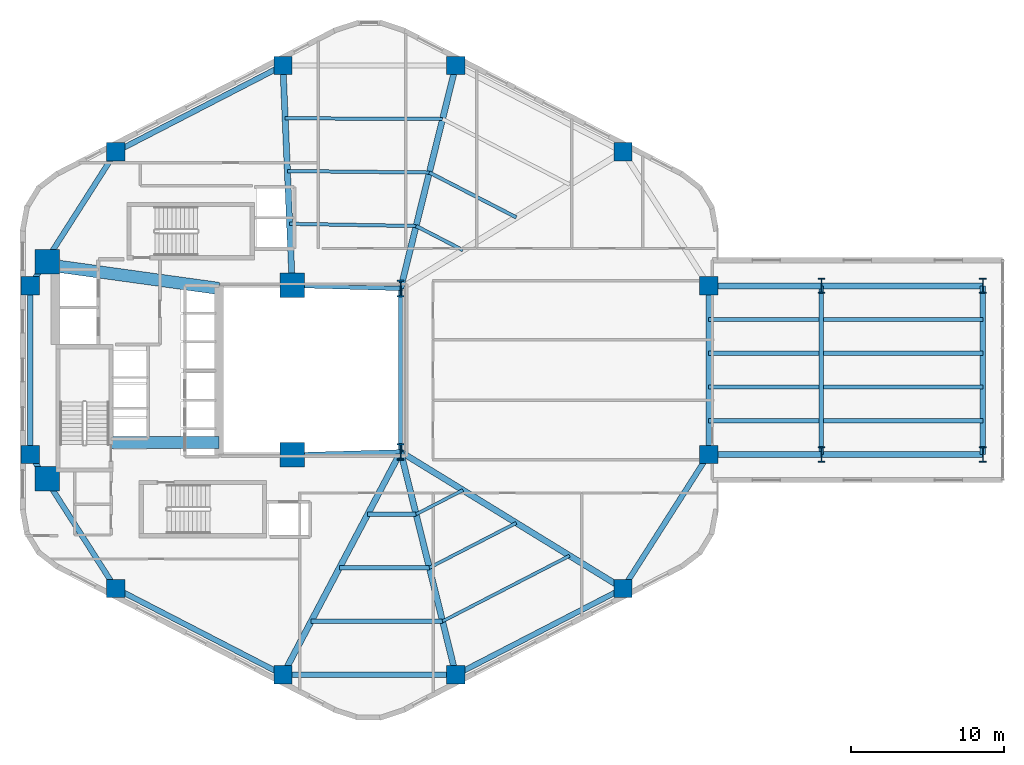
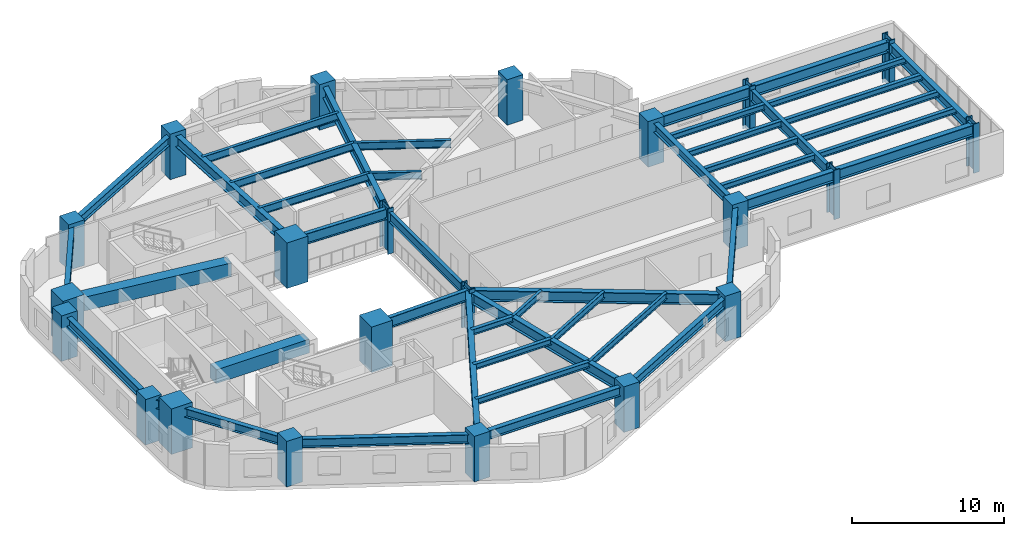
# One storey, part 1 of 10: 44 beams, 22 columns.
"""IFC4 building model written with IfcOpenShell, lengths in metres."""

from ifc_helpers import new_model, si_unit, direction, frame, origin, origin_2d, place, context, subcontext, project, spatial, rectangle, i_section, extrude, material, material_profile, profile_set, type_object, element, save


model = new_model("IFC4")

# Units and contexts
model_context = context("Model", 3, precision=1e-05, world=origin(), true_north=direction((0.0, 1.0)))
body_context = subcontext(model_context, "Body", "Model", "MODEL_VIEW")
ifc_project = project(units=[si_unit("LENGTHUNIT", "METRE"), si_unit("AREAUNIT", "SQUARE_METRE"), si_unit("VOLUMEUNIT", "CUBIC_METRE"), si_unit("PLANEANGLEUNIT", "RADIAN"), si_unit("MASSUNIT", "GRAM", prefix="KILO"), si_unit("THERMODYNAMICTEMPERATUREUNIT", "KELVIN"), si_unit("POWERUNIT", "WATT")], contexts=[model_context])

# Site, building, storey
site_placement = place(None, origin())
site = spatial("IfcSite", under=ifc_project, at=site_placement, CompositionType="ELEMENT")
building_placement = place(site_placement, origin())
building = spatial("IfcBuilding", under=site, at=building_placement, Name="Skarre Station Tower", CompositionType="ELEMENT")
storey_placement = place(building_placement, frame((0.0, 0.0, 52.550048828125)))
storey = spatial("IfcBuildingStorey", under=building, at=storey_placement, Name="L13", CompositionType="ELEMENT", Elevation=52.550048828125)

# Columns
ifc_material_1 = material(Name="Concrete C60/75", Category="concrete")
ifc_material_profile_1 = material_profile(ifc_material_1, rectangle(XDim=1.199951171875, YDim=1.199951171875, at=origin_2d()), Name="Concrete C60/75")
ifc_profile_set_1 = profile_set([ifc_material_profile_1], Name="Concrete C60/75")
column_type_1 = type_object("IfcColumnType", Name="RC Structural Column RC-COL-1200X1200", PredefinedType="COLUMN", material=ifc_profile_set_1)
for number, where, z_axis, x_axis, name in (
    (1, (54.007080078125, 38.298095703125, 0.0), (0.0, 0.0, 1.0), (1.0, 0.0, 0.0), "L13 Zone 1 Perimeter Column F0C1"),
    (2, (43.06005859375, 43.947021484375, 0.0), (0.0, 0.0, 1.0), (1.0, 0.0, 0.0), "L13 Zone 1 Perimeter Column F0C2"),
    (3, (31.739990234375, 43.947021484375, 0.0), (0.0, 0.0, 1.0), (1.0, 0.0, 0.0), "L13 Zone 1 Perimeter Column F1C1"),
    (4, (20.79296875, 38.298095703125, 0.0), (0.0, 0.0, 1.0), (1.0, 0.0, 0.0), "L13 Zone 1 Perimeter Column F1C2"),
    (5, (15.18701171875, 29.52099609375, 0.0), (0.0, 0.0, 1.0), (1.0, 0.0, 0.0), "L13 Zone 1 Perimeter Column F2C1"),
    (6, (15.18701171875, 18.47900390625, 0.0), (0.0, 0.0, 1.0), (1.0, 0.0, 0.0), "L13 Zone 1 Perimeter Column F2C2"),
    (7, (20.79296875, 9.701904296875, 0.0), (0.0, 0.0, 1.0), (1.0, 0.0, 0.0), "L13 Zone 1 Perimeter Column F3C1"),
    (8, (31.739990234375, 4.052978515625, 0.0), (0.0, 0.0, 1.0), (1.0, 0.0, 0.0), "L13 Zone 1 Perimeter Column F3C2"),
    (9, (43.06005859375, 4.052978515625, 0.0), (0.0, 0.0, 1.0), (1.0, 0.0, 0.0), "L13 Zone 1 Perimeter Column F4C1"),
    (10, (54.007080078125, 9.701904296875, 0.0), (0.0, 0.0, 1.0), (1.0, 0.0, 0.0), "L13 Zone 1 Perimeter Column F4C2"),
    (11, (59.613037109375, 18.47900390625, 0.0), (0.0, 0.0, 1.0), (1.0, 0.0, 0.0), "L13 Zone 1 Perimeter Column F5C1"),
    (12, (59.613037109375, 29.52099609375, 0.0), (0.0, 0.0, 1.0), (1.0, 0.0, 0.0), "L13 Zone 1 Perimeter Column F5C2"),
):
    element("IfcColumn", number, at=place(storey_placement, frame(where, z_axis=z_axis, x_axis=x_axis)), inside=storey, type_object=column_type_1, Name=name, PredefinedType="COLUMN", context=body_context, shape_type="SweptSolid", body=[
        extrude(rectangle(XDim=1.199951171875, YDim=1.199951171875, at=origin_2d()), origin(), (0.0, 0.0, 1.0), 3.64990234375),
    ])
ifc_material_2 = material(Name="Concrete C70/85", Category="concrete")
ifc_material_profile_2 = material_profile(ifc_material_2, rectangle(XDim=1.60009765625, YDim=1.60009765625, at=origin_2d()), Name="Concrete C70/85")
ifc_profile_set_2 = profile_set([ifc_material_profile_2], Name="Concrete C70/85")
column_type_2 = type_object("IfcColumnType", Name="RC Structural Column RC-COL-1600X1600", PredefinedType="COLUMN", material=ifc_profile_set_2)
for number, where, z_axis, x_axis, name in (
    (13, (16.300048828125, 16.89990234375, 0.0), (0.0, 0.0, 1.0), (1.0, 0.0, 0.0), "L13 Core Column CC-SW"),
    (14, (16.300048828125, 31.10009765625, 0.0), (0.0, 0.0, 1.0), (1.0, 0.0, 0.0), "L13 Core Column CC-NW"),
    (15, (32.35009765625, 18.449951171875, 0.0), (0.0, 0.0, 1.0), (1.0, 0.0, 0.0), "L13 Core Column CC-SE"),
    (16, (32.35009765625, 29.550048828125, 0.0), (0.0, 0.0, 1.0), (1.0, 0.0, 0.0), "L13 Core Column CC-NE"),
):
    element("IfcColumn", number, at=place(storey_placement, frame(where, z_axis=z_axis, x_axis=x_axis)), inside=storey, type_object=column_type_2, Name=name, PredefinedType="COLUMN", context=body_context, shape_type="SweptSolid", body=[
        extrude(rectangle(XDim=1.60009765625, YDim=1.60009765625, at=origin_2d()), origin(), (0.0, 0.0, 1.0), 3.64990234375),
    ])
ifc_material_3 = material(Name="Steel ASTM A913 Grade 65", Category="steel")
ifc_material_profile_3 = material_profile(ifc_material_3, i_section(OverallWidth=0.430908203125, OverallDepth=0.987060546875, WebThickness=0.033935546875, FlangeThickness=0.06201171875, at=origin_2d()), Name="Steel ASTM A913 Grade 65")
ifc_profile_set_3 = profile_set([ifc_material_profile_3], Name="Steel ASTM A913 Grade 65")
column_type_3 = type_object("IfcColumnType", Name="Steel Column W36X441", PredefinedType="COLUMN", material=ifc_profile_set_3)
for number, where, z_axis, x_axis, name in (
    (17, (66.992919921875, 18.47900390625, -0.2900390625), (0.0, 0.0, 1.0), (1.0, 0.0, 0.0), "L13 SB-1 Sky-Bar Frame Column M1"),
    (18, (66.992919921875, 29.52099609375, -0.2900390625), (0.0, 0.0, 1.0), (1.0, 0.0, 0.0), "L13 SB-1 Sky-Bar Frame Column M2"),
    (19, (77.56298828125, 18.47900390625, -0.2900390625), (0.0, 0.0, 1.0), (1.0, 0.0, 0.0), "L13 SB-1 Sky-Bar Frame Column T1"),
    (20, (77.56298828125, 29.52099609375, -0.2900390625), (0.0, 0.0, 1.0), (1.0, 0.0, 0.0), "L13 SB-1 Sky-Bar Frame Column T2"),
):
    element("IfcColumn", number, at=place(storey_placement, frame(where, z_axis=z_axis, x_axis=x_axis)), inside=storey, type_object=column_type_3, Name=name, PredefinedType="COLUMN", context=body_context, shape_type="SweptSolid", body=[
        extrude(i_section(OverallWidth=0.430908203125, OverallDepth=0.987060546875, WebThickness=0.033935546875, FlangeThickness=0.06201171875, at=origin_2d()), origin(), (0.0, 0.0, 1.0), 3.93994140625),
    ])
ifc_material_profile_4 = material_profile(ifc_material_3, i_section(OverallWidth=0.424072265625, OverallDepth=1.092041015625, WebThickness=0.044921875, FlangeThickness=0.08203125, at=origin_2d()), Name="Steel ASTM A913 Grade 65")
ifc_profile_set_4 = profile_set([ifc_material_profile_4], Name="Steel ASTM A913 Grade 65")
column_type_4 = type_object("IfcColumnType", Name="Steel Column W40X593", PredefinedType="COLUMN", material=ifc_profile_set_4)
for number, where, z_axis, x_axis, name in (
    (21, (39.449951171875, 18.64990234375, 0.0), (0.0, 0.0, 1.0), (1.0, 0.0, 0.0), "L13 Atrium Spine Column AC-SE"),
    (22, (39.449951171875, 29.35009765625, 0.0), (0.0, 0.0, 1.0), (1.0, 0.0, 0.0), "L13 Atrium Spine Column AC-NE"),
):
    element("IfcColumn", number, at=place(storey_placement, frame(where, z_axis=z_axis, x_axis=x_axis)), inside=storey, type_object=column_type_4, Name=name, PredefinedType="COLUMN", context=body_context, shape_type="SweptSolid", body=[
        extrude(i_section(OverallWidth=0.424072265625, OverallDepth=1.092041015625, WebThickness=0.044921875, FlangeThickness=0.08203125, at=origin_2d()), origin(), (0.0, 0.0, 1.0), 3.64990234375),
    ])

# Beams
ifc_material_profile_5 = material_profile(ifc_material_2, rectangle(XDim=0.800048828125, YDim=1.10009765625, at=origin_2d()), Name="Concrete C70/85")
ifc_profile_set_5 = profile_set([ifc_material_profile_5], Name="Concrete C70/85")
beam_type_1 = type_object("IfcBeamType", Name="RC Core Coupling Lintel 800x1100", PredefinedType="LINTEL", material=ifc_profile_set_5)
beam_1_placement = place(storey_placement, frame((20.489990234375, 19.260009765625, 2.81005859375), z_axis=(1.0, 0.0, 0.0), x_axis=(0.0, 1.0, 0.0)))
element("IfcBeam", 23, at=beam_1_placement, inside=storey, type_object=beam_type_1, Name="L13 South Core Coupling Lintel", PredefinedType="LINTEL", context=body_context, shape_type="SweptSolid", body=[
    extrude(rectangle(XDim=0.800048828125, YDim=1.10009765625, at=origin_2d()), origin(), (0.0, 0.0, 1.0), 7.06005859375),
])
beam_2_placement = place(storey_placement, frame((17.050048828125, 30.800048828125, 2.81005859375), z_axis=(0.990599723633, -0.136792498109, 0.0), x_axis=(0.136792498109, 0.990599723633, 0.0)))
element("IfcBeam", 24, at=beam_2_placement, inside=storey, type_object=beam_type_1, Name="L13 North Core Coupling Lintel", PredefinedType="LINTEL", context=body_context, shape_type="SweptSolid", body=[
    extrude(rectangle(XDim=0.800048828125, YDim=1.10009765625, at=origin_2d()), origin(), (0.0, 0.0, 1.0), 10.599609375),
])
ifc_material_4 = material(Name="Steel ASTM A992 Grade 50", Category="steel")
ifc_material_profile_6 = material_profile(ifc_material_4, i_section(OverallWidth=0.26806640625, OverallDepth=0.77001953125, WebThickness=0.01611328125, FlangeThickness=0.02490234375, at=origin_2d()), Name="Steel ASTM A992 Grade 50")
ifc_profile_set_6 = profile_set([ifc_material_profile_6], Name="Steel ASTM A992 Grade 50")
beam_type_2 = type_object("IfcBeamType", Name="Steel Beam W30X132", PredefinedType="BEAM", material=ifc_profile_set_6)
beam_3_placement = place(storey_placement, frame((39.449951171875, 18.64990234375, 2.974853515625), z_axis=(0.0, 1.0, 0.0), x_axis=(-1.0, 0.0, 0.0)))
element("IfcBeam", 25, at=beam_3_placement, inside=storey, type_object=beam_type_2, Name="L13 Atrium East Edge Girder", PredefinedType="BEAM", context=body_context, shape_type="SweptSolid", body=[
    extrude(i_section(OverallWidth=0.26806640625, OverallDepth=0.77001953125, WebThickness=0.01611328125, FlangeThickness=0.02490234375, at=origin_2d()), origin(), (0.0, 0.0, 1.0), 10.7001953125),
])
ifc_material_profile_7 = material_profile(ifc_material_4, i_section(OverallWidth=0.2919921875, OverallDepth=0.85888671875, WebThickness=0.01708984375, FlangeThickness=0.031005859375, at=origin_2d()), Name="Steel ASTM A992 Grade 50")
ifc_profile_set_7 = profile_set([ifc_material_profile_7], Name="Steel ASTM A992 Grade 50")
beam_type_3 = type_object("IfcBeamType", Name="Steel Beam W33X169", PredefinedType="BEAM", material=ifc_profile_set_7)
for number, where, z_axis, x_axis, name in (
    (26, (32.35009765625, 18.449951171875, 2.929931640625), (0.999603666405, 0.028151556095, 0.0), (-0.028151556095, 0.999603666405, 0.0), "L13 Atrium South Edge Girder"),
    (27, (32.35009765625, 29.550048828125, 2.929931640625), (0.999603666405, -0.028151556095, 0.0), (0.028151556095, 0.999603666405, 0.0), "L13 Atrium North Edge Girder"),
):
    element("IfcBeam", number, at=place(storey_placement, frame(where, z_axis=z_axis, x_axis=x_axis)), inside=storey, type_object=beam_type_3, Name=name, PredefinedType="BEAM", context=body_context, shape_type="SweptSolid", body=[
        extrude(i_section(OverallWidth=0.2919921875, OverallDepth=0.85888671875, WebThickness=0.01708984375, FlangeThickness=0.031005859375, at=origin_2d()), origin(), (0.0, 0.0, 1.0), 7.102783203125),
    ])
beam_4_placement = place(storey_placement, frame((66.992919921875, 18.47900390625, 2.929931640625), z_axis=(0.0, 1.0, 0.0), x_axis=(-1.0, 0.0, 0.0)))
element("IfcBeam", 28, at=beam_4_placement, inside=storey, type_object=beam_type_3, Name="L13 SB-1 Mid Transverse Girder", PredefinedType="BEAM", context=body_context, shape_type="SweptSolid", body=[
    extrude(i_section(OverallWidth=0.2919921875, OverallDepth=0.85888671875, WebThickness=0.01708984375, FlangeThickness=0.031005859375, at=origin_2d()), origin(), (0.0, 0.0, 1.0), 11.0419921875),
])
ifc_material_profile_8 = material_profile(ifc_material_4, i_section(OverallWidth=0.40087890625, OverallDepth=0.876953125, WebThickness=0.02197265625, FlangeThickness=0.0400390625, at=origin_2d()), Name="Steel ASTM A992 Grade 50")
ifc_profile_set_8 = profile_set([ifc_material_profile_8], Name="Steel ASTM A992 Grade 50")
beam_type_4 = type_object("IfcBeamType", Name="Steel Beam W33X263", PredefinedType="BEAM", material=ifc_profile_set_8)
beam_5_placement = place(storey_placement, frame((39.449951171875, 29.35009765625, 2.9208984375), z_axis=(0.240086037639, 0.9707516132, 0.0), x_axis=(-0.9707516132, 0.240086037639, 0.0)))
element("IfcBeam", 29, at=beam_5_placement, inside=storey, type_object=beam_type_4, Name="L13 Radial Floor Girder F0C2", PredefinedType="BEAM", context=body_context, shape_type="SweptSolid", body=[
    extrude(i_section(OverallWidth=0.40087890625, OverallDepth=0.876953125, WebThickness=0.02197265625, FlangeThickness=0.0400390625, at=origin_2d()), origin(), (0.0, 0.0, 1.0), 15.03662109375),
])
beam_6_placement = place(storey_placement, frame((32.35009765625, 29.550048828125, 2.9208984375), z_axis=(-0.042339479433, 0.999103282189, 0.0), x_axis=(-0.999103282189, -0.042339479433, 0.0)))
element("IfcBeam", 30, at=beam_6_placement, inside=storey, type_object=beam_type_4, Name="L13 Radial Floor Girder F1C1", PredefinedType="BEAM", context=body_context, shape_type="SweptSolid", body=[
    extrude(i_section(OverallWidth=0.40087890625, OverallDepth=0.876953125, WebThickness=0.02197265625, FlangeThickness=0.0400390625, at=origin_2d()), origin(), (0.0, 0.0, 1.0), 14.409912109375),
])
beam_7_placement = place(storey_placement, frame((39.449951171875, 18.64990234375, 2.9208984375), z_axis=(-0.467044240884, -0.884233949279, 0.0), x_axis=(0.884233949279, -0.467044240884, 0.0)))
element("IfcBeam", 31, at=beam_7_placement, inside=storey, type_object=beam_type_4, Name="L13 Radial Floor Girder F3C2", PredefinedType="BEAM", context=body_context, shape_type="SweptSolid", body=[
    extrude(i_section(OverallWidth=0.40087890625, OverallDepth=0.876953125, WebThickness=0.02197265625, FlangeThickness=0.0400390625, at=origin_2d()), origin(), (0.0, 0.0, 1.0), 16.508056640625),
])
beam_8_placement = place(storey_placement, frame((39.449951171875, 18.64990234375, 2.9208984375), z_axis=(0.240086037639, -0.9707516132, 0.0), x_axis=(0.9707516132, 0.240086037639, 0.0)))
element("IfcBeam", 32, at=beam_8_placement, inside=storey, type_object=beam_type_4, Name="L13 Radial Floor Girder F4C1", PredefinedType="BEAM", context=body_context, shape_type="SweptSolid", body=[
    extrude(i_section(OverallWidth=0.40087890625, OverallDepth=0.876953125, WebThickness=0.02197265625, FlangeThickness=0.0400390625, at=origin_2d()), origin(), (0.0, 0.0, 1.0), 15.03662109375),
])
beam_9_placement = place(storey_placement, frame((39.449951171875, 18.64990234375, 2.9208984375), z_axis=(0.851925565957, -0.523662897358, 0.0), x_axis=(0.523662897358, 0.851925565957, 0.0)))
element("IfcBeam", 33, at=beam_9_placement, inside=storey, type_object=beam_type_4, Name="L13 Radial Floor Girder F4C2", PredefinedType="BEAM", context=body_context, shape_type="SweptSolid", body=[
    extrude(i_section(OverallWidth=0.40087890625, OverallDepth=0.876953125, WebThickness=0.02197265625, FlangeThickness=0.0400390625, at=origin_2d()), origin(), (0.0, 0.0, 1.0), 17.08740234375),
])
beam_10_placement = place(storey_placement, frame((59.613037109375, 18.47900390625, 2.9208984375), z_axis=(1.0, 0.0, 0.0), x_axis=(0.0, 1.0, 0.0)))
element("IfcBeam", 34, at=beam_10_placement, inside=storey, type_object=beam_type_4, Name="L13 SB-1 Side 1 Inner Girder", PredefinedType="BEAM", context=body_context, shape_type="SweptSolid", body=[
    extrude(i_section(OverallWidth=0.40087890625, OverallDepth=0.876953125, WebThickness=0.02197265625, FlangeThickness=0.0400390625, at=origin_2d()), origin(), (0.0, 0.0, 1.0), 7.3798828125),
])
beam_11_placement = place(storey_placement, frame((66.992919921875, 18.47900390625, 2.9208984375), z_axis=(1.0, 0.0, 0.0), x_axis=(0.0, 1.0, 0.0)))
element("IfcBeam", 35, at=beam_11_placement, inside=storey, type_object=beam_type_4, Name="L13 SB-1 Side 1 Outer Girder", PredefinedType="BEAM", context=body_context, shape_type="SweptSolid", body=[
    extrude(i_section(OverallWidth=0.40087890625, OverallDepth=0.876953125, WebThickness=0.02197265625, FlangeThickness=0.0400390625, at=origin_2d()), origin(), (0.0, 0.0, 1.0), 10.570068359375),
])
beam_12_placement = place(storey_placement, frame((59.613037109375, 29.52099609375, 2.9208984375), z_axis=(1.0, 0.0, 0.0), x_axis=(0.0, 1.0, 0.0)))
element("IfcBeam", 36, at=beam_12_placement, inside=storey, type_object=beam_type_4, Name="L13 SB-1 Side 2 Inner Girder", PredefinedType="BEAM", context=body_context, shape_type="SweptSolid", body=[
    extrude(i_section(OverallWidth=0.40087890625, OverallDepth=0.876953125, WebThickness=0.02197265625, FlangeThickness=0.0400390625, at=origin_2d()), origin(), (0.0, 0.0, 1.0), 7.3798828125),
])
beam_13_placement = place(storey_placement, frame((66.992919921875, 29.52099609375, 2.9208984375), z_axis=(1.0, 0.0, 0.0), x_axis=(0.0, 1.0, 0.0)))
element("IfcBeam", 37, at=beam_13_placement, inside=storey, type_object=beam_type_4, Name="L13 SB-1 Side 2 Outer Girder", PredefinedType="BEAM", context=body_context, shape_type="SweptSolid", body=[
    extrude(i_section(OverallWidth=0.40087890625, OverallDepth=0.876953125, WebThickness=0.02197265625, FlangeThickness=0.0400390625, at=origin_2d()), origin(), (0.0, 0.0, 1.0), 10.570068359375),
])
ifc_material_profile_9 = material_profile(ifc_material_4, i_section(OverallWidth=0.280029296875, OverallDepth=0.462890625, WebThickness=0.010986328125, FlangeThickness=0.01708984375, at=origin_2d()), Name="Steel ASTM A992 Grade 50")
ifc_profile_set_9 = profile_set([ifc_material_profile_9], Name="Steel ASTM A992 Grade 50")
beam_type_5 = type_object("IfcBeamType", Name="Steel Joist W18X76", PredefinedType="JOIST", material=ifc_profile_set_9)
beam_14_placement = place(storey_placement, frame((37.291015625, 14.56298828125, 3.1279296875), z_axis=(1.0, 0.0, 0.0), x_axis=(0.0, 1.0, 0.0)))
element("IfcBeam", 38, at=beam_14_placement, inside=storey, type_object=beam_type_5, Name="L13 Auxiliary Composite Joist 7", PredefinedType="JOIST", context=body_context, shape_type="SweptSolid", body=[
    extrude(i_section(OverallWidth=0.280029296875, OverallDepth=0.462890625, WebThickness=0.010986328125, FlangeThickness=0.01708984375, at=origin_2d()), origin(), (0.0, 0.0, 1.0), 3.169921875),
])
beam_15_placement = place(storey_placement, frame((35.44091796875, 11.06005859375, 3.1279296875), z_axis=(1.0, 0.0, 0.0), x_axis=(0.0, 1.0, 0.0)))
element("IfcBeam", 39, at=beam_15_placement, inside=storey, type_object=beam_type_5, Name="L13 Auxiliary Composite Joist 8", PredefinedType="JOIST", context=body_context, shape_type="SweptSolid", body=[
    extrude(i_section(OverallWidth=0.280029296875, OverallDepth=0.462890625, WebThickness=0.010986328125, FlangeThickness=0.01708984375, at=origin_2d()), origin(), (0.0, 0.0, 1.0), 5.885986328125),
])
beam_16_placement = place(storey_placement, frame((33.590087890625, 7.555908203125, 3.1279296875), z_axis=(1.0, 0.0, 0.0), x_axis=(0.0, 1.0, 0.0)))
element("IfcBeam", 40, at=beam_16_placement, inside=storey, type_object=beam_type_5, Name="L13 Auxiliary Composite Joist 9", PredefinedType="JOIST", context=body_context, shape_type="SweptSolid", body=[
    extrude(i_section(OverallWidth=0.280029296875, OverallDepth=0.462890625, WebThickness=0.010986328125, FlangeThickness=0.01708984375, at=origin_2d()), origin(), (0.0, 0.0, 1.0), 8.60400390625),
])
beam_17_placement = place(storey_placement, frame((59.613037109375, 20.68701171875, 3.1279296875), z_axis=(1.0, 0.0, 0.0), x_axis=(0.0, 1.0, 0.0)))
element("IfcBeam", 41, at=beam_17_placement, inside=storey, type_object=beam_type_5, Name="L13 SB-1 Inner Deck Joist 1", PredefinedType="JOIST", context=body_context, shape_type="SweptSolid", body=[
    extrude(i_section(OverallWidth=0.280029296875, OverallDepth=0.462890625, WebThickness=0.010986328125, FlangeThickness=0.01708984375, at=origin_2d()), origin(), (0.0, 0.0, 1.0), 7.236083984375),
])
beam_18_placement = place(storey_placement, frame((67.136962890625, 20.68701171875, 3.1279296875), z_axis=(1.0, 0.0, 0.0), x_axis=(0.0, 1.0, 0.0)))
element("IfcBeam", 42, at=beam_18_placement, inside=storey, type_object=beam_type_5, Name="L13 SB-1 Outer Deck Joist 1", PredefinedType="JOIST", context=body_context, shape_type="SweptSolid", body=[
    extrude(i_section(OverallWidth=0.280029296875, OverallDepth=0.462890625, WebThickness=0.010986328125, FlangeThickness=0.01708984375, at=origin_2d()), origin(), (0.0, 0.0, 1.0), 10.426025390625),
])
beam_19_placement = place(storey_placement, frame((59.613037109375, 22.89599609375, 3.1279296875), z_axis=(1.0, 0.0, 0.0), x_axis=(0.0, 1.0, 0.0)))
element("IfcBeam", 43, at=beam_19_placement, inside=storey, type_object=beam_type_5, Name="L13 SB-1 Inner Deck Joist 2", PredefinedType="JOIST", context=body_context, shape_type="SweptSolid", body=[
    extrude(i_section(OverallWidth=0.280029296875, OverallDepth=0.462890625, WebThickness=0.010986328125, FlangeThickness=0.01708984375, at=origin_2d()), origin(), (0.0, 0.0, 1.0), 7.236083984375),
])
beam_20_placement = place(storey_placement, frame((67.136962890625, 22.89599609375, 3.1279296875), z_axis=(1.0, 0.0, 0.0), x_axis=(0.0, 1.0, 0.0)))
element("IfcBeam", 44, at=beam_20_placement, inside=storey, type_object=beam_type_5, Name="L13 SB-1 Outer Deck Joist 2", PredefinedType="JOIST", context=body_context, shape_type="SweptSolid", body=[
    extrude(i_section(OverallWidth=0.280029296875, OverallDepth=0.462890625, WebThickness=0.010986328125, FlangeThickness=0.01708984375, at=origin_2d()), origin(), (0.0, 0.0, 1.0), 10.426025390625),
])
beam_21_placement = place(storey_placement, frame((59.613037109375, 25.10400390625, 3.1279296875), z_axis=(1.0, 0.0, 0.0), x_axis=(0.0, 1.0, 0.0)))
element("IfcBeam", 45, at=beam_21_placement, inside=storey, type_object=beam_type_5, Name="L13 SB-1 Inner Deck Joist 3", PredefinedType="JOIST", context=body_context, shape_type="SweptSolid", body=[
    extrude(i_section(OverallWidth=0.280029296875, OverallDepth=0.462890625, WebThickness=0.010986328125, FlangeThickness=0.01708984375, at=origin_2d()), origin(), (0.0, 0.0, 1.0), 7.236083984375),
])
beam_22_placement = place(storey_placement, frame((67.136962890625, 25.10400390625, 3.1279296875), z_axis=(1.0, 0.0, 0.0), x_axis=(0.0, 1.0, 0.0)))
element("IfcBeam", 46, at=beam_22_placement, inside=storey, type_object=beam_type_5, Name="L13 SB-1 Outer Deck Joist 3", PredefinedType="JOIST", context=body_context, shape_type="SweptSolid", body=[
    extrude(i_section(OverallWidth=0.280029296875, OverallDepth=0.462890625, WebThickness=0.010986328125, FlangeThickness=0.01708984375, at=origin_2d()), origin(), (0.0, 0.0, 1.0), 10.426025390625),
])
beam_23_placement = place(storey_placement, frame((59.613037109375, 27.31298828125, 3.1279296875), z_axis=(1.0, 0.0, 0.0), x_axis=(0.0, 1.0, 0.0)))
element("IfcBeam", 47, at=beam_23_placement, inside=storey, type_object=beam_type_5, Name="L13 SB-1 Inner Deck Joist 4", PredefinedType="JOIST", context=body_context, shape_type="SweptSolid", body=[
    extrude(i_section(OverallWidth=0.280029296875, OverallDepth=0.462890625, WebThickness=0.010986328125, FlangeThickness=0.01708984375, at=origin_2d()), origin(), (0.0, 0.0, 1.0), 7.236083984375),
])
beam_24_placement = place(storey_placement, frame((67.136962890625, 27.31298828125, 3.1279296875), z_axis=(1.0, 0.0, 0.0), x_axis=(0.0, 1.0, 0.0)))
element("IfcBeam", 48, at=beam_24_placement, inside=storey, type_object=beam_type_5, Name="L13 SB-1 Outer Deck Joist 4", PredefinedType="JOIST", context=body_context, shape_type="SweptSolid", body=[
    extrude(i_section(OverallWidth=0.280029296875, OverallDepth=0.462890625, WebThickness=0.010986328125, FlangeThickness=0.01708984375, at=origin_2d()), origin(), (0.0, 0.0, 1.0), 10.426025390625),
])
ifc_material_profile_10 = material_profile(ifc_material_4, i_section(OverallWidth=0.208984375, OverallDepth=0.532958984375, WebThickness=0.010009765625, FlangeThickness=0.01611328125, at=origin_2d()), Name="Steel ASTM A992 Grade 50")
ifc_profile_set_10 = profile_set([ifc_material_profile_10], Name="Steel ASTM A992 Grade 50")
beam_type_6 = type_object("IfcBeamType", Name="Steel Joist W21X62", PredefinedType="JOIST", material=ifc_profile_set_10)
beam_25_placement = place(storey_placement, frame((40.4609375, 14.56298828125, 3.093017578125), z_axis=(0.888605767214, 0.458671767687, 0.0), x_axis=(-0.458671767687, 0.888605767214, 0.0)))
element("IfcBeam", 49, at=beam_25_placement, inside=storey, type_object=beam_type_6, Name="L13 Auxiliary Composite Joist 10", PredefinedType="JOIST", context=body_context, shape_type="SweptSolid", body=[
    extrude(i_section(OverallWidth=0.208984375, OverallDepth=0.532958984375, WebThickness=0.010009765625, FlangeThickness=0.01611328125, at=origin_2d()), origin(), (0.0, 0.0, 1.0), 3.44921875),
])
beam_26_placement = place(storey_placement, frame((41.326904296875, 11.06005859375, 3.093017578125), z_axis=(0.888707823182, 0.458473996007, 0.0), x_axis=(-0.458473996007, 0.888707823182, 0.0)))
element("IfcBeam", 50, at=beam_26_placement, inside=storey, type_object=beam_type_6, Name="L13 Auxiliary Composite Joist 11", PredefinedType="JOIST", context=body_context, shape_type="SweptSolid", body=[
    extrude(i_section(OverallWidth=0.208984375, OverallDepth=0.532958984375, WebThickness=0.010009765625, FlangeThickness=0.01611328125, at=origin_2d()), origin(), (0.0, 0.0, 1.0), 6.406005859375),
])
beam_27_placement = place(storey_placement, frame((42.194091796875, 7.555908203125, 3.093017578125), z_axis=(0.888594941555, 0.458692740125, 0.0), x_axis=(-0.458692740125, 0.888594941555, 0.0)))
element("IfcBeam", 51, at=beam_27_placement, inside=storey, type_object=beam_type_6, Name="L13 Auxiliary Composite Joist 12", PredefinedType="JOIST", context=body_context, shape_type="SweptSolid", body=[
    extrude(i_section(OverallWidth=0.208984375, OverallDepth=0.532958984375, WebThickness=0.010009765625, FlangeThickness=0.01611328125, at=origin_2d()), origin(), (0.0, 0.0, 1.0), 9.36181640625),
])
ifc_material_profile_11 = material_profile(ifc_material_4, i_section(OverallWidth=0.22802734375, OverallDepth=0.60791015625, WebThickness=0.010986328125, FlangeThickness=0.01708984375, at=origin_2d()), Name="Steel ASTM A992 Grade 50")
ifc_profile_set_11 = profile_set([ifc_material_profile_11], Name="Steel ASTM A992 Grade 50")
beam_type_7 = type_object("IfcBeamType", Name="Steel Joist W24X76", PredefinedType="JOIST", material=ifc_profile_set_11)
beam_28_placement = place(storey_placement, frame((43.52587890625, 31.85498046875, 3.055908203125), z_axis=(-0.888605767214, 0.458671767687, 0.0), x_axis=(-0.458671767687, -0.888605767214, 0.0)))
element("IfcBeam", 52, at=beam_28_placement, inside=storey, type_object=beam_type_7, Name="L13 Secondary Floor Joist 1", PredefinedType="JOIST", context=body_context, shape_type="SweptSolid", body=[
    extrude(i_section(OverallWidth=0.22802734375, OverallDepth=0.60791015625, WebThickness=0.010986328125, FlangeThickness=0.01708984375, at=origin_2d()), origin(), (0.0, 0.0, 1.0), 3.44921875),
])
beam_29_placement = place(storey_placement, frame((47.02001953125, 34.0029296875, 3.055908203125), z_axis=(-0.888707823182, 0.458473996007, 0.0), x_axis=(-0.458473996007, -0.888707823182, 0.0)))
element("IfcBeam", 53, at=beam_29_placement, inside=storey, type_object=beam_type_7, Name="L13 Secondary Floor Joist 2", PredefinedType="JOIST", context=body_context, shape_type="SweptSolid", body=[
    extrude(i_section(OverallWidth=0.22802734375, OverallDepth=0.60791015625, WebThickness=0.010986328125, FlangeThickness=0.01708984375, at=origin_2d()), origin(), (0.0, 0.0, 1.0), 6.406005859375),
])
beam_30_placement = place(storey_placement, frame((40.4609375, 33.43701171875, 3.055908203125), z_axis=(-0.999848787739, 0.017389699754, 0.0), x_axis=(-0.017389699754, -0.999848787739, 0.0)))
element("IfcBeam", 54, at=beam_30_placement, inside=storey, type_object=beam_type_7, Name="L13 Secondary Floor Joist 4", PredefinedType="JOIST", context=body_context, shape_type="SweptSolid", body=[
    extrude(i_section(OverallWidth=0.22802734375, OverallDepth=0.60791015625, WebThickness=0.010986328125, FlangeThickness=0.01708984375, at=origin_2d()), origin(), (0.0, 0.0, 1.0), 8.283203125),
])
beam_31_placement = place(storey_placement, frame((41.326904296875, 36.93994140625, 3.055908203125), z_axis=(-0.999946715577, 0.010323081308, 0.0), x_axis=(-0.010323081308, -0.999946715577, 0.0)))
element("IfcBeam", 55, at=beam_31_placement, inside=storey, type_object=beam_type_7, Name="L13 Secondary Floor Joist 5", PredefinedType="JOIST", context=body_context, shape_type="SweptSolid", body=[
    extrude(i_section(OverallWidth=0.22802734375, OverallDepth=0.60791015625, WebThickness=0.010986328125, FlangeThickness=0.01708984375, at=origin_2d()), origin(), (0.0, 0.0, 1.0), 9.29443359375),
])
beam_32_placement = place(storey_placement, frame((42.194091796875, 40.444091796875, 3.055908203125), z_axis=(-0.99998922549, 0.004642079679, 0.0), x_axis=(-0.004642079679, -0.99998922549, 0.0)))
element("IfcBeam", 56, at=beam_32_placement, inside=storey, type_object=beam_type_7, Name="L13 Secondary Floor Joist 6", PredefinedType="JOIST", context=body_context, shape_type="SweptSolid", body=[
    extrude(i_section(OverallWidth=0.22802734375, OverallDepth=0.60791015625, WebThickness=0.010986328125, FlangeThickness=0.01708984375, at=origin_2d()), origin(), (0.0, 0.0, 1.0), 10.30810546875),
])
ifc_material_profile_12 = material_profile(ifc_material_4, i_section(OverallWidth=0.35791015625, OverallDepth=0.7060546875, WebThickness=0.01806640625, FlangeThickness=0.030029296875, at=origin_2d()), Name="Steel ASTM A992 Grade 50")
ifc_profile_set_12 = profile_set([ifc_material_profile_12], Name="Steel ASTM A992 Grade 50")
beam_type_8 = type_object("IfcBeamType", Name="Steel Spandrel W27X178", PredefinedType="SPANDREL", material=ifc_profile_set_12)
beam_33_placement = place(storey_placement, frame((31.739990234375, 43.947021484375, 3.0068359375), z_axis=(-0.888658695823, -0.458569212158, 0.0), x_axis=(0.458569212158, -0.888658695823, 0.0)))
element("IfcBeam", 57, at=beam_33_placement, inside=storey, type_object=beam_type_8, Name="L13 Facet Spandrel Beam 3", PredefinedType="SPANDREL", context=body_context, shape_type="SweptSolid", body=[
    extrude(i_section(OverallWidth=0.35791015625, OverallDepth=0.7060546875, WebThickness=0.01806640625, FlangeThickness=0.030029296875, at=origin_2d()), origin(), (0.0, 0.0, 1.0), 12.318603515625),
])
beam_34_placement = place(storey_placement, frame((20.79296875, 38.298095703125, 3.0068359375), z_axis=(-0.538277829225, -0.842767452246, 0.0), x_axis=(0.842767452246, -0.538277829225, 0.0)))
element("IfcBeam", 58, at=beam_34_placement, inside=storey, type_object=beam_type_8, Name="L13 Facet Spandrel Beam 4", PredefinedType="SPANDREL", context=body_context, shape_type="SweptSolid", body=[
    extrude(i_section(OverallWidth=0.35791015625, OverallDepth=0.7060546875, WebThickness=0.01806640625, FlangeThickness=0.030029296875, at=origin_2d()), origin(), (0.0, 0.0, 1.0), 10.41455078125),
])
beam_35_placement = place(storey_placement, frame((15.18701171875, 29.52099609375, 3.0068359375), z_axis=(0.0, -1.0, 0.0), x_axis=(1.0, 0.0, 0.0)))
element("IfcBeam", 59, at=beam_35_placement, inside=storey, type_object=beam_type_8, Name="L13 Facet Spandrel Beam 5", PredefinedType="SPANDREL", context=body_context, shape_type="SweptSolid", body=[
    extrude(i_section(OverallWidth=0.35791015625, OverallDepth=0.7060546875, WebThickness=0.01806640625, FlangeThickness=0.030029296875, at=origin_2d()), origin(), (0.0, 0.0, 1.0), 11.0419921875),
])
beam_36_placement = place(storey_placement, frame((15.18701171875, 18.47900390625, 3.0068359375), z_axis=(0.538277829225, -0.842767452246, 0.0), x_axis=(0.842767452246, 0.538277829225, 0.0)))
element("IfcBeam", 60, at=beam_36_placement, inside=storey, type_object=beam_type_8, Name="L13 Facet Spandrel Beam 6", PredefinedType="SPANDREL", context=body_context, shape_type="SweptSolid", body=[
    extrude(i_section(OverallWidth=0.35791015625, OverallDepth=0.7060546875, WebThickness=0.01806640625, FlangeThickness=0.030029296875, at=origin_2d()), origin(), (0.0, 0.0, 1.0), 10.41455078125),
])
beam_37_placement = place(storey_placement, frame((20.79296875, 9.701904296875, 3.0068359375), z_axis=(0.888658695823, -0.458569212158, 0.0), x_axis=(0.458569212158, 0.888658695823, 0.0)))
element("IfcBeam", 61, at=beam_37_placement, inside=storey, type_object=beam_type_8, Name="L13 Facet Spandrel Beam 7", PredefinedType="SPANDREL", context=body_context, shape_type="SweptSolid", body=[
    extrude(i_section(OverallWidth=0.35791015625, OverallDepth=0.7060546875, WebThickness=0.01806640625, FlangeThickness=0.030029296875, at=origin_2d()), origin(), (0.0, 0.0, 1.0), 12.318603515625),
])
beam_38_placement = place(storey_placement, frame((31.739990234375, 4.052978515625, 3.0068359375), z_axis=(1.0, 0.0, 0.0), x_axis=(0.0, 1.0, 0.0)))
element("IfcBeam", 62, at=beam_38_placement, inside=storey, type_object=beam_type_8, Name="L13 Facet Spandrel Beam 8", PredefinedType="SPANDREL", context=body_context, shape_type="SweptSolid", body=[
    extrude(i_section(OverallWidth=0.35791015625, OverallDepth=0.7060546875, WebThickness=0.01806640625, FlangeThickness=0.030029296875, at=origin_2d()), origin(), (0.0, 0.0, 1.0), 11.320068359375),
])
beam_39_placement = place(storey_placement, frame((43.06005859375, 4.052978515625, 3.0068359375), z_axis=(0.888658695823, 0.458569212158, 0.0), x_axis=(-0.458569212158, 0.888658695823, 0.0)))
element("IfcBeam", 63, at=beam_39_placement, inside=storey, type_object=beam_type_8, Name="L13 Facet Spandrel Beam 9", PredefinedType="SPANDREL", context=body_context, shape_type="SweptSolid", body=[
    extrude(i_section(OverallWidth=0.35791015625, OverallDepth=0.7060546875, WebThickness=0.01806640625, FlangeThickness=0.030029296875, at=origin_2d()), origin(), (0.0, 0.0, 1.0), 12.318603515625),
])
beam_40_placement = place(storey_placement, frame((54.007080078125, 9.701904296875, 3.0068359375), z_axis=(0.538277829225, 0.842767452246, 0.0), x_axis=(-0.842767452246, 0.538277829225, 0.0)))
element("IfcBeam", 64, at=beam_40_placement, inside=storey, type_object=beam_type_8, Name="L13 Facet Spandrel Beam 10", PredefinedType="SPANDREL", context=body_context, shape_type="SweptSolid", body=[
    extrude(i_section(OverallWidth=0.35791015625, OverallDepth=0.7060546875, WebThickness=0.01806640625, FlangeThickness=0.030029296875, at=origin_2d()), origin(), (0.0, 0.0, 1.0), 10.41455078125),
])
beam_41_placement = place(storey_placement, frame((59.613037109375, 18.47900390625, 3.0068359375), z_axis=(0.0, 1.0, 0.0), x_axis=(-1.0, 0.0, 0.0)))
element("IfcBeam", 65, at=beam_41_placement, inside=storey, type_object=beam_type_8, Name="L13 Facet Spandrel Beam 11", PredefinedType="SPANDREL", context=body_context, shape_type="SweptSolid", body=[
    extrude(i_section(OverallWidth=0.35791015625, OverallDepth=0.7060546875, WebThickness=0.01806640625, FlangeThickness=0.030029296875, at=origin_2d()), origin(), (0.0, 0.0, 1.0), 11.0419921875),
])
ifc_material_profile_13 = material_profile(ifc_material_4, i_section(OverallWidth=0.384033203125, OverallDepth=0.785888671875, WebThickness=0.02001953125, FlangeThickness=0.032958984375, at=origin_2d()), Name="Steel ASTM A992 Grade 50")
ifc_profile_set_13 = profile_set([ifc_material_profile_13], Name="Steel ASTM A992 Grade 50")
beam_type_9 = type_object("IfcBeamType", Name="Steel Spandrel W30X211", PredefinedType="SPANDREL", material=ifc_profile_set_13)
beam_42_placement = place(storey_placement, frame((77.56298828125, 18.47900390625, 2.967041015625), z_axis=(0.0, 1.0, 0.0), x_axis=(-1.0, 0.0, 0.0)))
element("IfcBeam", 66, at=beam_42_placement, inside=storey, type_object=beam_type_9, Name="L13 SB-1 Prow Spandrel Girder", PredefinedType="SPANDREL", context=body_context, shape_type="SweptSolid", body=[
    extrude(i_section(OverallWidth=0.384033203125, OverallDepth=0.785888671875, WebThickness=0.02001953125, FlangeThickness=0.032958984375, at=origin_2d()), origin(), (0.0, 0.0, 1.0), 11.0419921875),
])

save(model, "model.ifc")
